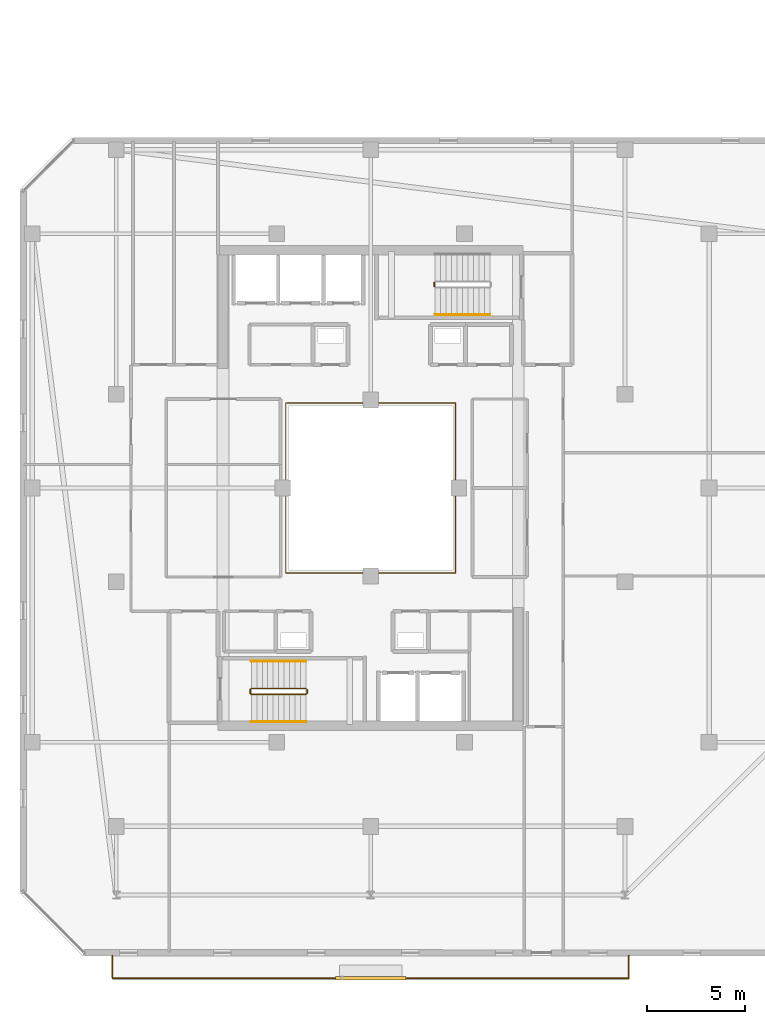
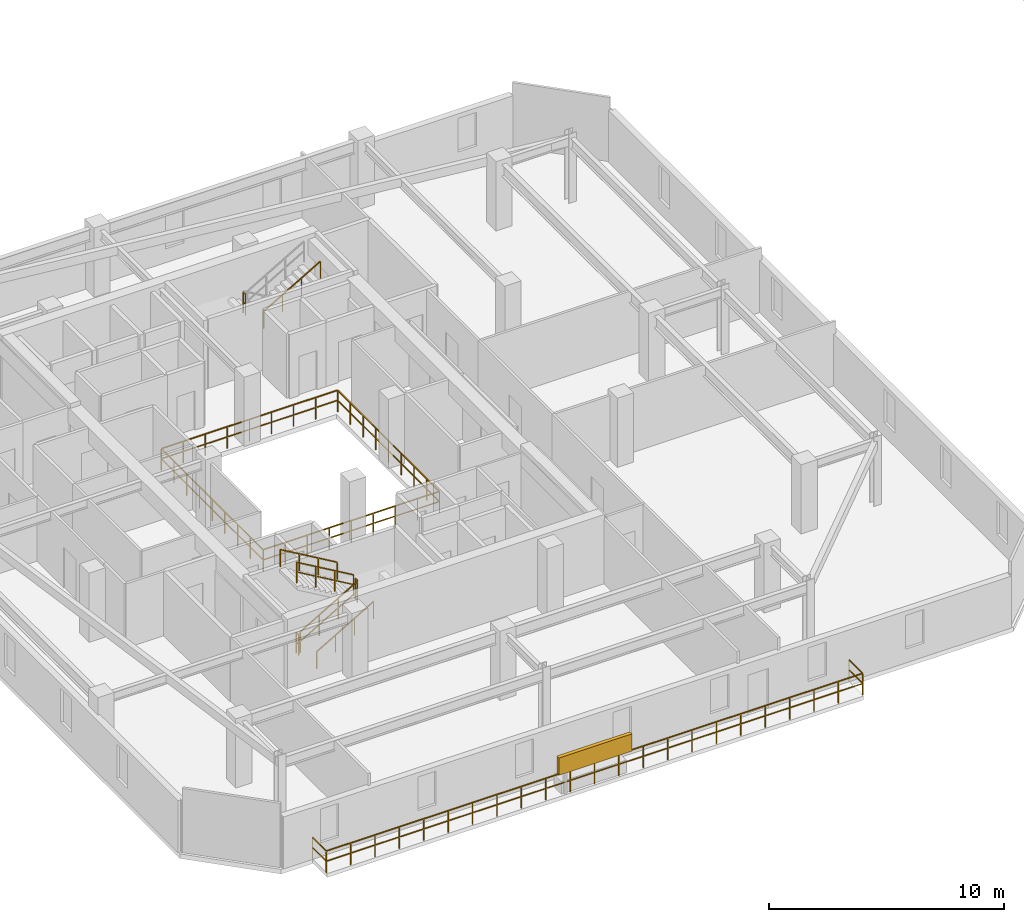
# One storey, part 32 of 35: 10 railings, 1 shading device.
"""IFC4 building model written with IfcOpenShell, lengths in metres."""

from ifc_helpers import new_model, si_unit, direction, frame, origin, origin_2d, place, context, subcontext, project, spatial, rectangle, extrude, material, type_object, element, save


model = new_model("IFC4")

# Units and contexts
model_context = context("Model", 3, precision=1e-05, world=origin(), true_north=direction((0.0, 1.0)))
body_context = subcontext(model_context, "Body", "Model", "MODEL_VIEW")
ifc_project = project(units=[si_unit("LENGTHUNIT", "METRE"), si_unit("AREAUNIT", "SQUARE_METRE"), si_unit("VOLUMEUNIT", "CUBIC_METRE"), si_unit("PLANEANGLEUNIT", "RADIAN"), si_unit("MASSUNIT", "GRAM", prefix="KILO")], contexts=[model_context])

# Site, building, storey
site_placement = place(None, origin())
site = spatial("IfcSite", under=ifc_project, at=site_placement, CompositionType="ELEMENT")
building_placement = place(site_placement, origin())
building = spatial("IfcBuilding", under=site, at=building_placement, Name="Thornwick Lancets Civic Towers", CompositionType="ELEMENT")
storey_placement = place(building_placement, frame((0.0, 0.0, 269.10009765625)))
storey = spatial("IfcBuildingStorey", under=building, at=storey_placement, Name="L72", CompositionType="ELEMENT", Elevation=269.10009765625)

# Railings
ifc_material_1 = material(Name="Laminated glass and bronze steel S355", Category="steel")
railing_type_1 = type_object("IfcRailingType", Name="RAIL_ATRIUM_GUARD", PredefinedType="BALUSTRADE", material=ifc_material_1)
railing_1_placement = place(storey_placement, frame((21.159912109375, 22.659912109375, 0.0)))
element("IfcRailing", 1, at=railing_1_placement, inside=storey, type_object=railing_type_1, Name="L72 Tower A Central Atrium Guard Balustrade", PredefinedType="BALUSTRADE", context=body_context, shape_type="SweptSolid", body=[
    extrude(rectangle(XDim=0.048095703125, YDim=0.048095703125, at=origin_2d()), frame((0.0, 0.0, 1.1259765625), z_axis=(1.0, 0.0, 0.0), x_axis=(0.0, 1.0, 0.0)), (0.0, 0.0, 1.0), 8.64892578125),
    extrude(rectangle(XDim=0.0419921875, YDim=0.0419921875, at=origin_2d()), frame((0.03759765625, 0.0, 0.597900390625), z_axis=(1.0, 0.0, 0.0), x_axis=(0.0, 1.0, 0.0)), (0.0, 0.0, 1.0), 1.010009765625),
    extrude(rectangle(XDim=0.0419921875, YDim=0.0419921875, at=origin_2d()), frame((1.12255859375, 0.0, 0.597900390625), z_axis=(1.0, 0.0, 0.0), x_axis=(0.0, 1.0, 0.0)), (0.0, 0.0, 1.0), 1.010009765625),
    extrude(rectangle(XDim=0.0419921875, YDim=0.0419921875, at=origin_2d()), frame((2.20751953125, 0.0, 0.597900390625), z_axis=(1.0, 0.0, 0.0), x_axis=(0.0, 1.0, 0.0)), (0.0, 0.0, 1.0), 1.010009765625),
    extrude(rectangle(XDim=0.0419921875, YDim=0.0419921875, at=origin_2d()), frame((3.29248046875, 0.0, 0.597900390625), z_axis=(1.0, 0.0, 0.0), x_axis=(0.0, 1.0, 0.0)), (0.0, 0.0, 1.0), 1.010009765625),
    extrude(rectangle(XDim=0.0419921875, YDim=0.0419921875, at=origin_2d()), frame((4.377685546875, 0.0, 0.597900390625), z_axis=(1.0, 0.0, 0.0), x_axis=(0.0, 1.0, 0.0)), (0.0, 0.0, 1.0), 1.010009765625),
    extrude(rectangle(XDim=0.0419921875, YDim=0.0419921875, at=origin_2d()), frame((5.462646484375, 0.0, 0.597900390625), z_axis=(1.0, 0.0, 0.0), x_axis=(0.0, 1.0, 0.0)), (0.0, 0.0, 1.0), 1.010009765625),
    extrude(rectangle(XDim=0.0419921875, YDim=0.0419921875, at=origin_2d()), frame((6.547607421875, 0.0, 0.597900390625), z_axis=(1.0, 0.0, 0.0), x_axis=(0.0, 1.0, 0.0)), (0.0, 0.0, 1.0), 1.010009765625),
    extrude(rectangle(XDim=0.0419921875, YDim=0.0419921875, at=origin_2d()), frame((7.632568359375, 0.0, 0.597900390625), z_axis=(1.0, 0.0, 0.0), x_axis=(0.0, 1.0, 0.0)), (0.0, 0.0, 1.0), 1.010009765625),
    extrude(rectangle(XDim=0.048095703125, YDim=0.048095703125, at=origin_2d()), frame((8.68017578125, 0.03125, 1.1259765625), z_axis=(0.0, 1.0, 0.0), x_axis=(-1.0, 0.0, 0.0)), (0.0, 0.0, 1.0), 8.61767578125),
    extrude(rectangle(XDim=0.0419921875, YDim=0.0419921875, at=origin_2d()), frame((8.68017578125, 0.03759765625, 0.597900390625), z_axis=(0.0, 1.0, 0.0), x_axis=(-1.0, 0.0, 0.0)), (0.0, 0.0, 1.0), 1.010009765625),
    extrude(rectangle(XDim=0.0419921875, YDim=0.0419921875, at=origin_2d()), frame((8.68017578125, 1.12255859375, 0.597900390625), z_axis=(0.0, 1.0, 0.0), x_axis=(-1.0, 0.0, 0.0)), (0.0, 0.0, 1.0), 1.010009765625),
    extrude(rectangle(XDim=0.0419921875, YDim=0.0419921875, at=origin_2d()), frame((8.68017578125, 2.20751953125, 0.597900390625), z_axis=(0.0, 1.0, 0.0), x_axis=(-1.0, 0.0, 0.0)), (0.0, 0.0, 1.0), 1.010009765625),
    extrude(rectangle(XDim=0.0419921875, YDim=0.0419921875, at=origin_2d()), frame((8.68017578125, 3.29248046875, 0.597900390625), z_axis=(0.0, 1.0, 0.0), x_axis=(-1.0, 0.0, 0.0)), (0.0, 0.0, 1.0), 1.010009765625),
    extrude(rectangle(XDim=0.0419921875, YDim=0.0419921875, at=origin_2d()), frame((8.68017578125, 4.377685546875, 0.597900390625), z_axis=(0.0, 1.0, 0.0), x_axis=(-1.0, 0.0, 0.0)), (0.0, 0.0, 1.0), 1.010009765625),
    extrude(rectangle(XDim=0.0419921875, YDim=0.0419921875, at=origin_2d()), frame((8.68017578125, 5.462646484375, 0.597900390625), z_axis=(0.0, 1.0, 0.0), x_axis=(-1.0, 0.0, 0.0)), (0.0, 0.0, 1.0), 1.010009765625),
    extrude(rectangle(XDim=0.0419921875, YDim=0.0419921875, at=origin_2d()), frame((8.68017578125, 6.547607421875, 0.597900390625), z_axis=(0.0, 1.0, 0.0), x_axis=(-1.0, 0.0, 0.0)), (0.0, 0.0, 1.0), 1.010009765625),
    extrude(rectangle(XDim=0.0419921875, YDim=0.0419921875, at=origin_2d()), frame((8.68017578125, 7.632568359375, 0.597900390625), z_axis=(0.0, 1.0, 0.0), x_axis=(-1.0, 0.0, 0.0)), (0.0, 0.0, 1.0), 1.010009765625),
    extrude(rectangle(XDim=0.048095703125, YDim=0.048095703125, at=origin_2d()), frame((8.64892578125, 8.68017578125, 1.1259765625), z_axis=(-1.0, 0.0, 0.0), x_axis=(0.0, -1.0, 0.0)), (0.0, 0.0, 1.0), 8.61767578125),
    extrude(rectangle(XDim=0.0419921875, YDim=0.0419921875, at=origin_2d()), frame((8.642578125, 8.68017578125, 0.597900390625), z_axis=(-1.0, 0.0, 0.0), x_axis=(0.0, -1.0, 0.0)), (0.0, 0.0, 1.0), 1.010009765625),
    extrude(rectangle(XDim=0.0419921875, YDim=0.0419921875, at=origin_2d()), frame((7.5576171875, 8.68017578125, 0.597900390625), z_axis=(-1.0, 0.0, 0.0), x_axis=(0.0, -1.0, 0.0)), (0.0, 0.0, 1.0), 1.010009765625),
    extrude(rectangle(XDim=0.0419921875, YDim=0.0419921875, at=origin_2d()), frame((6.47265625, 8.68017578125, 0.597900390625), z_axis=(-1.0, 0.0, 0.0), x_axis=(0.0, -1.0, 0.0)), (0.0, 0.0, 1.0), 1.010009765625),
    extrude(rectangle(XDim=0.0419921875, YDim=0.0419921875, at=origin_2d()), frame((5.3876953125, 8.68017578125, 0.597900390625), z_axis=(-1.0, 0.0, 0.0), x_axis=(0.0, -1.0, 0.0)), (0.0, 0.0, 1.0), 1.010009765625),
    extrude(rectangle(XDim=0.0419921875, YDim=0.0419921875, at=origin_2d()), frame((4.302490234375, 8.68017578125, 0.597900390625), z_axis=(-1.0, 0.0, 0.0), x_axis=(0.0, -1.0, 0.0)), (0.0, 0.0, 1.0), 1.010009765625),
    extrude(rectangle(XDim=0.0419921875, YDim=0.0419921875, at=origin_2d()), frame((3.217529296875, 8.68017578125, 0.597900390625), z_axis=(-1.0, 0.0, 0.0), x_axis=(0.0, -1.0, 0.0)), (0.0, 0.0, 1.0), 1.010009765625),
    extrude(rectangle(XDim=0.0419921875, YDim=0.0419921875, at=origin_2d()), frame((2.132568359375, 8.68017578125, 0.597900390625), z_axis=(-1.0, 0.0, 0.0), x_axis=(0.0, -1.0, 0.0)), (0.0, 0.0, 1.0), 1.010009765625),
    extrude(rectangle(XDim=0.0419921875, YDim=0.0419921875, at=origin_2d()), frame((1.047607421875, 8.68017578125, 0.597900390625), z_axis=(-1.0, 0.0, 0.0), x_axis=(0.0, -1.0, 0.0)), (0.0, 0.0, 1.0), 1.010009765625),
    extrude(rectangle(XDim=0.048095703125, YDim=0.048095703125, at=origin_2d()), frame((0.0, 8.64892578125, 1.1259765625), z_axis=(0.0, -1.0, 0.0), x_axis=(1.0, 0.0, 0.0)), (0.0, 0.0, 1.0), 8.64892578125),
    extrude(rectangle(XDim=0.0419921875, YDim=0.0419921875, at=origin_2d()), frame((0.0, 8.642578125, 0.597900390625), z_axis=(0.0, -1.0, 0.0), x_axis=(1.0, 0.0, 0.0)), (0.0, 0.0, 1.0), 1.010009765625),
    extrude(rectangle(XDim=0.0419921875, YDim=0.0419921875, at=origin_2d()), frame((0.0, 7.5576171875, 0.597900390625), z_axis=(0.0, -1.0, 0.0), x_axis=(1.0, 0.0, 0.0)), (0.0, 0.0, 1.0), 1.010009765625),
    extrude(rectangle(XDim=0.0419921875, YDim=0.0419921875, at=origin_2d()), frame((0.0, 6.47265625, 0.597900390625), z_axis=(0.0, -1.0, 0.0), x_axis=(1.0, 0.0, 0.0)), (0.0, 0.0, 1.0), 1.010009765625),
    extrude(rectangle(XDim=0.0419921875, YDim=0.0419921875, at=origin_2d()), frame((0.0, 5.3876953125, 0.597900390625), z_axis=(0.0, -1.0, 0.0), x_axis=(1.0, 0.0, 0.0)), (0.0, 0.0, 1.0), 1.010009765625),
    extrude(rectangle(XDim=0.0419921875, YDim=0.0419921875, at=origin_2d()), frame((0.0, 4.302490234375, 0.597900390625), z_axis=(0.0, -1.0, 0.0), x_axis=(1.0, 0.0, 0.0)), (0.0, 0.0, 1.0), 1.010009765625),
    extrude(rectangle(XDim=0.0419921875, YDim=0.0419921875, at=origin_2d()), frame((0.0, 3.217529296875, 0.597900390625), z_axis=(0.0, -1.0, 0.0), x_axis=(1.0, 0.0, 0.0)), (0.0, 0.0, 1.0), 1.010009765625),
    extrude(rectangle(XDim=0.0419921875, YDim=0.0419921875, at=origin_2d()), frame((0.0, 2.132568359375, 0.597900390625), z_axis=(0.0, -1.0, 0.0), x_axis=(1.0, 0.0, 0.0)), (0.0, 0.0, 1.0), 1.010009765625),
    extrude(rectangle(XDim=0.0419921875, YDim=0.0419921875, at=origin_2d()), frame((0.0, 1.047607421875, 0.597900390625), z_axis=(0.0, -1.0, 0.0), x_axis=(1.0, 0.0, 0.0)), (0.0, 0.0, 1.0), 1.010009765625),
    extrude(rectangle(XDim=0.0419921875, YDim=0.0419921875, at=origin_2d()), origin(), (0.0, 0.0, 1.0), 1.095703125),
    extrude(rectangle(XDim=0.0419921875, YDim=0.0419921875, at=origin_2d()), frame((1.0849609375, 0.0, 0.0)), (0.0, 0.0, 1.0), 1.095703125),
    extrude(rectangle(XDim=0.0419921875, YDim=0.0419921875, at=origin_2d()), frame((2.169921875, 0.0, 0.0)), (0.0, 0.0, 1.0), 1.095703125),
    extrude(rectangle(XDim=0.0419921875, YDim=0.0419921875, at=origin_2d()), frame((3.255126953125, 0.0, 0.0)), (0.0, 0.0, 1.0), 1.095703125),
    extrude(rectangle(XDim=0.0419921875, YDim=0.0419921875, at=origin_2d()), frame((4.340087890625, 0.0, 0.0)), (0.0, 0.0, 1.0), 1.095703125),
    extrude(rectangle(XDim=0.0419921875, YDim=0.0419921875, at=origin_2d()), frame((5.425048828125, 0.0, 0.0)), (0.0, 0.0, 1.0), 1.095703125),
    extrude(rectangle(XDim=0.0419921875, YDim=0.0419921875, at=origin_2d()), frame((6.51025390625, 0.0, 0.0)), (0.0, 0.0, 1.0), 1.095703125),
    extrude(rectangle(XDim=0.0419921875, YDim=0.0419921875, at=origin_2d()), frame((7.59521484375, 0.0, 0.0)), (0.0, 0.0, 1.0), 1.095703125),
    extrude(rectangle(XDim=0.0419921875, YDim=0.0419921875, at=origin_2d()), frame((8.68017578125, 0.0, 0.0)), (0.0, 0.0, 1.0), 1.095703125),
    extrude(rectangle(XDim=0.0419921875, YDim=0.0419921875, at=origin_2d()), frame((8.68017578125, 1.0849609375, 0.0)), (0.0, 0.0, 1.0), 1.095703125),
    extrude(rectangle(XDim=0.0419921875, YDim=0.0419921875, at=origin_2d()), frame((8.68017578125, 2.169921875, 0.0)), (0.0, 0.0, 1.0), 1.095703125),
    extrude(rectangle(XDim=0.0419921875, YDim=0.0419921875, at=origin_2d()), frame((8.68017578125, 3.255126953125, 0.0)), (0.0, 0.0, 1.0), 1.095703125),
    extrude(rectangle(XDim=0.0419921875, YDim=0.0419921875, at=origin_2d()), frame((8.68017578125, 4.340087890625, 0.0)), (0.0, 0.0, 1.0), 1.095703125),
    extrude(rectangle(XDim=0.0419921875, YDim=0.0419921875, at=origin_2d()), frame((8.68017578125, 5.425048828125, 0.0)), (0.0, 0.0, 1.0), 1.095703125),
    extrude(rectangle(XDim=0.0419921875, YDim=0.0419921875, at=origin_2d()), frame((8.68017578125, 6.51025390625, 0.0)), (0.0, 0.0, 1.0), 1.095703125),
    extrude(rectangle(XDim=0.0419921875, YDim=0.0419921875, at=origin_2d()), frame((8.68017578125, 7.59521484375, 0.0)), (0.0, 0.0, 1.0), 1.095703125),
    extrude(rectangle(XDim=0.0419921875, YDim=0.0419921875, at=origin_2d()), frame((8.68017578125, 8.68017578125, 0.0)), (0.0, 0.0, 1.0), 1.095703125),
    extrude(rectangle(XDim=0.0419921875, YDim=0.0419921875, at=origin_2d()), frame((7.59521484375, 8.68017578125, 0.0)), (0.0, 0.0, 1.0), 1.095703125),
    extrude(rectangle(XDim=0.0419921875, YDim=0.0419921875, at=origin_2d()), frame((6.51025390625, 8.68017578125, 0.0)), (0.0, 0.0, 1.0), 1.095703125),
    extrude(rectangle(XDim=0.0419921875, YDim=0.0419921875, at=origin_2d()), frame((5.425048828125, 8.68017578125, 0.0)), (0.0, 0.0, 1.0), 1.095703125),
    extrude(rectangle(XDim=0.0419921875, YDim=0.0419921875, at=origin_2d()), frame((4.340087890625, 8.68017578125, 0.0)), (0.0, 0.0, 1.0), 1.095703125),
    extrude(rectangle(XDim=0.0419921875, YDim=0.0419921875, at=origin_2d()), frame((3.255126953125, 8.68017578125, 0.0)), (0.0, 0.0, 1.0), 1.095703125),
    extrude(rectangle(XDim=0.0419921875, YDim=0.0419921875, at=origin_2d()), frame((2.169921875, 8.68017578125, 0.0)), (0.0, 0.0, 1.0), 1.095703125),
    extrude(rectangle(XDim=0.0419921875, YDim=0.0419921875, at=origin_2d()), frame((1.0849609375, 8.68017578125, 0.0)), (0.0, 0.0, 1.0), 1.095703125),
    extrude(rectangle(XDim=0.0419921875, YDim=0.0419921875, at=origin_2d()), frame((0.0, 8.68017578125, 0.0)), (0.0, 0.0, 1.0), 1.095703125),
    extrude(rectangle(XDim=0.0419921875, YDim=0.0419921875, at=origin_2d()), frame((0.0, 7.59521484375, 0.0)), (0.0, 0.0, 1.0), 1.095703125),
    extrude(rectangle(XDim=0.0419921875, YDim=0.0419921875, at=origin_2d()), frame((0.0, 6.51025390625, 0.0)), (0.0, 0.0, 1.0), 1.095703125),
    extrude(rectangle(XDim=0.0419921875, YDim=0.0419921875, at=origin_2d()), frame((0.0, 5.425048828125, 0.0)), (0.0, 0.0, 1.0), 1.095703125),
    extrude(rectangle(XDim=0.0419921875, YDim=0.0419921875, at=origin_2d()), frame((0.0, 4.340087890625, 0.0)), (0.0, 0.0, 1.0), 1.095703125),
    extrude(rectangle(XDim=0.0419921875, YDim=0.0419921875, at=origin_2d()), frame((0.0, 3.255126953125, 0.0)), (0.0, 0.0, 1.0), 1.095703125),
    extrude(rectangle(XDim=0.0419921875, YDim=0.0419921875, at=origin_2d()), frame((0.0, 2.169921875, 0.0)), (0.0, 0.0, 1.0), 1.095703125),
    extrude(rectangle(XDim=0.0419921875, YDim=0.0419921875, at=origin_2d()), frame((0.0, 1.0849609375, 0.0)), (0.0, 0.0, 1.0), 1.095703125),
])
ifc_material_2 = material(Name="Brushed stainless steel S355", Category="steel")
railing_type_2 = type_object("IfcRailingType", Name="RAIL_HANDRAIL", PredefinedType="HANDRAIL", material=ifc_material_2)
railing_2_placement = place(storey_placement, frame((19.39990234375, 15.050048828125, 0.16357421875)))
element("IfcRailing", 2, at=railing_2_placement, inside=storey, type_object=railing_type_2, Name="L72 ST-A1 stair handrail 1", PredefinedType="HANDRAIL", context=body_context, shape_type="SweptSolid", body=[
    extrude(rectangle(XDim=0.048095703125, YDim=0.048095703125, at=origin_2d()), frame((0.0, 0.0, 0.8857421875), z_axis=(0.863393664356, 0.0, 0.504530851732), x_axis=(0.0, 1.0, 0.0)), (0.0, 0.0, 1.0), 3.2431640625),
    extrude(rectangle(XDim=0.0419921875, YDim=0.0419921875, at=origin_2d()), origin(), (0.0, 0.0, 1.0), 0.855712890625),
    extrude(rectangle(XDim=0.0419921875, YDim=0.0419921875, at=origin_2d()), frame((0.933349609375, 0.0, 0.54541015625)), (0.0, 0.0, 1.0), 0.855712890625),
    extrude(rectangle(XDim=0.0419921875, YDim=0.0419921875, at=origin_2d()), frame((1.86669921875, 0.0, 1.0908203125)), (0.0, 0.0, 1.0), 0.855712890625),
    extrude(rectangle(XDim=0.0419921875, YDim=0.0419921875, at=origin_2d()), frame((2.800048828125, 0.0, 1.63623046875)), (0.0, 0.0, 1.0), 0.855712890625),
])
railing_3_placement = place(storey_placement, frame((22.199951171875, 18.14990234375, 1.963623046875)))
element("IfcRailing", 3, at=railing_3_placement, inside=storey, type_object=railing_type_2, Name="L72 ST-A1 stair handrail 2", PredefinedType="HANDRAIL", context=body_context, shape_type="SweptSolid", body=[
    extrude(rectangle(XDim=0.048095703125, YDim=0.048095703125, at=origin_2d()), frame((0.0, 0.0, 0.8857421875), z_axis=(-0.863393664356, 0.0, 0.504530851732), x_axis=(0.0, -1.0, 0.0)), (0.0, 0.0, 1.0), 3.2431640625),
    extrude(rectangle(XDim=0.0419921875, YDim=0.0419921875, at=origin_2d()), origin(), (0.0, 0.0, 1.0), 0.855712890625),
    extrude(rectangle(XDim=0.0419921875, YDim=0.0419921875, at=origin_2d()), frame((-0.933349609375, 0.0, 0.54541015625)), (0.0, 0.0, 1.0), 0.855712890625),
    extrude(rectangle(XDim=0.0419921875, YDim=0.0419921875, at=origin_2d()), frame((-1.86669921875, 0.0, 1.0908203125)), (0.0, 0.0, 1.0), 0.855712890625),
    extrude(rectangle(XDim=0.0419921875, YDim=0.0419921875, at=origin_2d()), frame((-2.800048828125, 0.0, 1.63623046875)), (0.0, 0.0, 1.0), 0.855712890625),
])
railing_4_placement = place(storey_placement, frame((28.800048828125, 35.85009765625, 1.963623046875)))
element("IfcRailing", 4, at=railing_4_placement, inside=storey, type_object=railing_type_2, Name="L72 ST-A2 stair handrail 2", PredefinedType="HANDRAIL", context=body_context, shape_type="SweptSolid", body=[
    extrude(rectangle(XDim=0.048095703125, YDim=0.048095703125, at=origin_2d()), frame((0.0, 0.0, 0.8857421875), z_axis=(0.863393664356, 0.0, 0.504530851732), x_axis=(0.0, 1.0, 0.0)), (0.0, 0.0, 1.0), 3.2431640625),
    extrude(rectangle(XDim=0.0419921875, YDim=0.0419921875, at=origin_2d()), origin(), (0.0, 0.0, 1.0), 0.855712890625),
    extrude(rectangle(XDim=0.0419921875, YDim=0.0419921875, at=origin_2d()), frame((0.933349609375, 0.0, 0.54541015625)), (0.0, 0.0, 1.0), 0.855712890625),
    extrude(rectangle(XDim=0.0419921875, YDim=0.0419921875, at=origin_2d()), frame((1.86669921875, 0.0, 1.0908203125)), (0.0, 0.0, 1.0), 0.855712890625),
    extrude(rectangle(XDim=0.0419921875, YDim=0.0419921875, at=origin_2d()), frame((2.800048828125, 0.0, 1.63623046875)), (0.0, 0.0, 1.0), 0.855712890625),
])
ifc_material_3 = material(Name="Steel S355JR", Category="steel")
railing_type_3 = type_object("IfcRailingType", Name="RAIL_STAIR_GUARD", PredefinedType="GUARDRAIL", material=ifc_material_3)
railing_5_placement = place(storey_placement, frame((19.39990234375, 16.449951171875, 0.16357421875)))
element("IfcRailing", 5, at=railing_5_placement, inside=storey, type_object=railing_type_3, Name="L72 ST-A1 stair guard 1", PredefinedType="GUARDRAIL", context=body_context, shape_type="SweptSolid", body=[
    extrude(rectangle(XDim=0.048095703125, YDim=0.048095703125, at=origin_2d()), frame((0.0, 0.0, 1.076171875), z_axis=(0.863393664356, 0.0, 0.504530851732), x_axis=(0.0, 1.0, 0.0)), (0.0, 0.0, 1.0), 3.2431640625),
    extrude(rectangle(XDim=0.0419921875, YDim=0.0419921875, at=origin_2d()), frame((0.032470703125, 0.0, 0.591064453125), z_axis=(0.863393664356, 0.0, 0.504530851732), x_axis=(0.0, 1.0, 0.0)), (0.0, 0.0, 1.0), 1.006103515625),
    extrude(rectangle(XDim=0.0419921875, YDim=0.0419921875, at=origin_2d()), frame((0.9658203125, 0.0, 1.136474609375), z_axis=(0.863393664356, 0.0, 0.504530851732), x_axis=(0.0, 1.0, 0.0)), (0.0, 0.0, 1.0), 1.006103515625),
    extrude(rectangle(XDim=0.0419921875, YDim=0.0419921875, at=origin_2d()), frame((1.899169921875, 0.0, 1.681884765625), z_axis=(0.863393664356, 0.0, 0.504530851732), x_axis=(0.0, 1.0, 0.0)), (0.0, 0.0, 1.0), 1.006103515625),
    extrude(rectangle(XDim=0.0419921875, YDim=0.0419921875, at=origin_2d()), origin(), (0.0, 0.0, 1.0), 1.0458984375),
    extrude(rectangle(XDim=0.0419921875, YDim=0.0419921875, at=origin_2d()), frame((0.933349609375, 0.0, 0.54541015625)), (0.0, 0.0, 1.0), 1.0458984375),
    extrude(rectangle(XDim=0.0419921875, YDim=0.0419921875, at=origin_2d()), frame((1.86669921875, 0.0, 1.0908203125)), (0.0, 0.0, 1.0), 1.0458984375),
    extrude(rectangle(XDim=0.0419921875, YDim=0.0419921875, at=origin_2d()), frame((2.800048828125, 0.0, 1.63623046875)), (0.0, 0.0, 1.0), 1.0458984375),
])
railing_6_placement = place(storey_placement, frame((22.25, 16.5, 1.7998046875)))
element("IfcRailing", 6, at=railing_6_placement, inside=storey, type_object=railing_type_3, Name="L72 ST-A1 stair guard 2", PredefinedType="GUARDRAIL", context=body_context, shape_type="SweptSolid", body=[
    extrude(rectangle(XDim=0.048095703125, YDim=0.048095703125, at=origin_2d()), frame((0.0, 0.0, 1.076171875), z_axis=(0.0, 1.0, 0.0), x_axis=(-1.0, 0.0, 0.0)), (0.0, 0.0, 1.0), 0.199951171875),
    extrude(rectangle(XDim=0.0419921875, YDim=0.0419921875, at=origin_2d()), frame((0.0, 0.03759765625, 0.572021484375), z_axis=(0.0, 1.0, 0.0), x_axis=(-1.0, 0.0, 0.0)), (0.0, 0.0, 1.0), 0.125),
    extrude(rectangle(XDim=0.0419921875, YDim=0.0419921875, at=origin_2d()), origin(), (0.0, 0.0, 1.0), 1.0458984375),
    extrude(rectangle(XDim=0.0419921875, YDim=0.0419921875, at=origin_2d()), frame((0.0, 0.199951171875, 0.0)), (0.0, 0.0, 1.0), 1.0458984375),
])
railing_7_placement = place(storey_placement, frame((22.199951171875, 16.75, 1.963623046875)))
element("IfcRailing", 7, at=railing_7_placement, inside=storey, type_object=railing_type_3, Name="L72 ST-A1 stair guard 3", PredefinedType="GUARDRAIL", context=body_context, shape_type="SweptSolid", body=[
    extrude(rectangle(XDim=0.048095703125, YDim=0.048095703125, at=origin_2d()), frame((0.0, 0.0, 1.076171875), z_axis=(-0.863393664356, 0.0, 0.504530851732), x_axis=(0.0, -1.0, 0.0)), (0.0, 0.0, 1.0), 3.2431640625),
    extrude(rectangle(XDim=0.0419921875, YDim=0.0419921875, at=origin_2d()), frame((-0.032470703125, 0.0, 0.591064453125), z_axis=(-0.863393664356, 0.0, 0.504530851732), x_axis=(0.0, -1.0, 0.0)), (0.0, 0.0, 1.0), 1.006103515625),
    extrude(rectangle(XDim=0.0419921875, YDim=0.0419921875, at=origin_2d()), frame((-0.9658203125, 0.0, 1.136474609375), z_axis=(-0.863393664356, 0.0, 0.504530851732), x_axis=(0.0, -1.0, 0.0)), (0.0, 0.0, 1.0), 1.006103515625),
    extrude(rectangle(XDim=0.0419921875, YDim=0.0419921875, at=origin_2d()), frame((-1.899169921875, 0.0, 1.681884765625), z_axis=(-0.863393664356, 0.0, 0.504530851732), x_axis=(0.0, -1.0, 0.0)), (0.0, 0.0, 1.0), 1.006103515625),
    extrude(rectangle(XDim=0.0419921875, YDim=0.0419921875, at=origin_2d()), origin(), (0.0, 0.0, 1.0), 1.0458984375),
    extrude(rectangle(XDim=0.0419921875, YDim=0.0419921875, at=origin_2d()), frame((-0.933349609375, 0.0, 0.54541015625)), (0.0, 0.0, 1.0), 1.0458984375),
    extrude(rectangle(XDim=0.0419921875, YDim=0.0419921875, at=origin_2d()), frame((-1.86669921875, 0.0, 1.0908203125)), (0.0, 0.0, 1.0), 1.0458984375),
    extrude(rectangle(XDim=0.0419921875, YDim=0.0419921875, at=origin_2d()), frame((-2.800048828125, 0.0, 1.63623046875)), (0.0, 0.0, 1.0), 1.0458984375),
])
railing_8_placement = place(storey_placement, frame((19.35009765625, 16.5, 0.0)))
element("IfcRailing", 8, at=railing_8_placement, inside=storey, type_object=railing_type_3, Name="L72 ST-A1 stair guard 4", PredefinedType="GUARDRAIL", context=body_context, shape_type="SweptSolid", body=[
    extrude(rectangle(XDim=0.048095703125, YDim=0.048095703125, at=origin_2d()), frame((0.0, 0.0, 1.076171875), z_axis=(0.0, 1.0, 0.0), x_axis=(-1.0, 0.0, 0.0)), (0.0, 0.0, 1.0), 0.199951171875),
    extrude(rectangle(XDim=0.0419921875, YDim=0.0419921875, at=origin_2d()), frame((0.0, 0.03759765625, 0.572021484375), z_axis=(0.0, 1.0, 0.0), x_axis=(-1.0, 0.0, 0.0)), (0.0, 0.0, 1.0), 0.125),
    extrude(rectangle(XDim=0.0419921875, YDim=0.0419921875, at=origin_2d()), origin(), (0.0, 0.0, 1.0), 1.0458984375),
    extrude(rectangle(XDim=0.0419921875, YDim=0.0419921875, at=origin_2d()), frame((0.0, 0.199951171875, 0.0)), (0.0, 0.0, 1.0), 1.0458984375),
])
railing_9_placement = place(storey_placement, frame((28.75, 37.5, 1.7998046875)))
element("IfcRailing", 9, at=railing_9_placement, inside=storey, type_object=railing_type_3, Name="L72 ST-A2 stair guard 2", PredefinedType="GUARDRAIL", context=body_context, shape_type="SweptSolid", body=[
    extrude(rectangle(XDim=0.048095703125, YDim=0.048095703125, at=origin_2d()), frame((0.0, 0.0, 1.076171875), z_axis=(0.0, -1.0, 0.0), x_axis=(1.0, 0.0, 0.0)), (0.0, 0.0, 1.0), 0.199951171875),
    extrude(rectangle(XDim=0.0419921875, YDim=0.0419921875, at=origin_2d()), frame((0.0, -0.03759765625, 0.572021484375), z_axis=(0.0, -1.0, 0.0), x_axis=(1.0, 0.0, 0.0)), (0.0, 0.0, 1.0), 0.125),
    extrude(rectangle(XDim=0.0419921875, YDim=0.0419921875, at=origin_2d()), origin(), (0.0, 0.0, 1.0), 1.0458984375),
    extrude(rectangle(XDim=0.0419921875, YDim=0.0419921875, at=origin_2d()), frame((0.0, -0.199951171875, 0.0)), (0.0, 0.0, 1.0), 1.0458984375),
])
ifc_material_4 = material(Name="Terracotta-capped laminated glass balustrade S355", Category="masonry")
railing_type_4 = type_object("IfcRailingType", Name="RAIL_TERR_GUARD", PredefinedType="GUARDRAIL", material=ifc_material_4)
railing_10_placement = place(storey_placement, frame((12.300048828125, 3.10009765625, 0.0)))
element("IfcRailing", 10, at=railing_10_placement, inside=storey, type_object=railing_type_4, Name="L72 Tower A Balcony Guard S", PredefinedType="GUARDRAIL", context=body_context, shape_type="SweptSolid", body=[
    extrude(rectangle(XDim=0.048095703125, YDim=0.048095703125, at=origin_2d()), frame((0.0, 0.0, 1.1259765625), z_axis=(0.0, -1.0, 0.0), x_axis=(1.0, 0.0, 0.0)), (0.0, 0.0, 1.0), 1.138916015625),
    extrude(rectangle(XDim=0.0419921875, YDim=0.0419921875, at=origin_2d()), frame((0.0, -0.03759765625, 0.597900390625), z_axis=(0.0, -1.0, 0.0), x_axis=(1.0, 0.0, 0.0)), (0.0, 0.0, 1.0), 1.09521484375),
    extrude(rectangle(XDim=0.048095703125, YDim=0.048095703125, at=origin_2d()), frame((0.03125, -1.170166015625, 1.1259765625), z_axis=(1.0, 0.0, 0.0), x_axis=(0.0, 1.0, 0.0)), (0.0, 0.0, 1.0), 26.33740234375),
    extrude(rectangle(XDim=0.0419921875, YDim=0.0419921875, at=origin_2d()), frame((0.03759765625, -1.170166015625, 0.597900390625), z_axis=(1.0, 0.0, 0.0), x_axis=(0.0, 1.0, 0.0)), (0.0, 0.0, 1.0), 1.125),
    extrude(rectangle(XDim=0.0419921875, YDim=0.0419921875, at=origin_2d()), frame((1.237548828125, -1.170166015625, 0.597900390625), z_axis=(1.0, 0.0, 0.0), x_axis=(0.0, 1.0, 0.0)), (0.0, 0.0, 1.0), 1.125),
    extrude(rectangle(XDim=0.0419921875, YDim=0.0419921875, at=origin_2d()), frame((2.4375, -1.170166015625, 0.597900390625), z_axis=(1.0, 0.0, 0.0), x_axis=(0.0, 1.0, 0.0)), (0.0, 0.0, 1.0), 1.125),
    extrude(rectangle(XDim=0.0419921875, YDim=0.0419921875, at=origin_2d()), frame((3.637451171875, -1.170166015625, 0.597900390625), z_axis=(1.0, 0.0, 0.0), x_axis=(0.0, 1.0, 0.0)), (0.0, 0.0, 1.0), 1.125),
    extrude(rectangle(XDim=0.0419921875, YDim=0.0419921875, at=origin_2d()), frame((4.83740234375, -1.170166015625, 0.597900390625), z_axis=(1.0, 0.0, 0.0), x_axis=(0.0, 1.0, 0.0)), (0.0, 0.0, 1.0), 1.125),
    extrude(rectangle(XDim=0.0419921875, YDim=0.0419921875, at=origin_2d()), frame((6.037353515625, -1.170166015625, 0.597900390625), z_axis=(1.0, 0.0, 0.0), x_axis=(0.0, 1.0, 0.0)), (0.0, 0.0, 1.0), 1.125),
    extrude(rectangle(XDim=0.0419921875, YDim=0.0419921875, at=origin_2d()), frame((7.237548828125, -1.170166015625, 0.597900390625), z_axis=(1.0, 0.0, 0.0), x_axis=(0.0, 1.0, 0.0)), (0.0, 0.0, 1.0), 1.125),
    extrude(rectangle(XDim=0.0419921875, YDim=0.0419921875, at=origin_2d()), frame((8.4375, -1.170166015625, 0.597900390625), z_axis=(1.0, 0.0, 0.0), x_axis=(0.0, 1.0, 0.0)), (0.0, 0.0, 1.0), 1.125),
    extrude(rectangle(XDim=0.0419921875, YDim=0.0419921875, at=origin_2d()), frame((9.637451171875, -1.170166015625, 0.597900390625), z_axis=(1.0, 0.0, 0.0), x_axis=(0.0, 1.0, 0.0)), (0.0, 0.0, 1.0), 1.125),
    extrude(rectangle(XDim=0.0419921875, YDim=0.0419921875, at=origin_2d()), frame((10.83740234375, -1.170166015625, 0.597900390625), z_axis=(1.0, 0.0, 0.0), x_axis=(0.0, 1.0, 0.0)), (0.0, 0.0, 1.0), 1.125),
    extrude(rectangle(XDim=0.0419921875, YDim=0.0419921875, at=origin_2d()), frame((12.037353515625, -1.170166015625, 0.597900390625), z_axis=(1.0, 0.0, 0.0), x_axis=(0.0, 1.0, 0.0)), (0.0, 0.0, 1.0), 1.125),
    extrude(rectangle(XDim=0.0419921875, YDim=0.0419921875, at=origin_2d()), frame((13.237548828125, -1.170166015625, 0.597900390625), z_axis=(1.0, 0.0, 0.0), x_axis=(0.0, 1.0, 0.0)), (0.0, 0.0, 1.0), 1.125),
    extrude(rectangle(XDim=0.0419921875, YDim=0.0419921875, at=origin_2d()), frame((14.4375, -1.170166015625, 0.597900390625), z_axis=(1.0, 0.0, 0.0), x_axis=(0.0, 1.0, 0.0)), (0.0, 0.0, 1.0), 1.125),
    extrude(rectangle(XDim=0.0419921875, YDim=0.0419921875, at=origin_2d()), frame((15.637451171875, -1.170166015625, 0.597900390625), z_axis=(1.0, 0.0, 0.0), x_axis=(0.0, 1.0, 0.0)), (0.0, 0.0, 1.0), 1.125),
    extrude(rectangle(XDim=0.0419921875, YDim=0.0419921875, at=origin_2d()), frame((16.83740234375, -1.170166015625, 0.597900390625), z_axis=(1.0, 0.0, 0.0), x_axis=(0.0, 1.0, 0.0)), (0.0, 0.0, 1.0), 1.125),
    extrude(rectangle(XDim=0.0419921875, YDim=0.0419921875, at=origin_2d()), frame((18.037353515625, -1.170166015625, 0.597900390625), z_axis=(1.0, 0.0, 0.0), x_axis=(0.0, 1.0, 0.0)), (0.0, 0.0, 1.0), 1.125),
    extrude(rectangle(XDim=0.0419921875, YDim=0.0419921875, at=origin_2d()), frame((19.2373046875, -1.170166015625, 0.597900390625), z_axis=(1.0, 0.0, 0.0), x_axis=(0.0, 1.0, 0.0)), (0.0, 0.0, 1.0), 1.125),
    extrude(rectangle(XDim=0.0419921875, YDim=0.0419921875, at=origin_2d()), frame((20.4375, -1.170166015625, 0.597900390625), z_axis=(1.0, 0.0, 0.0), x_axis=(0.0, 1.0, 0.0)), (0.0, 0.0, 1.0), 1.125),
    extrude(rectangle(XDim=0.0419921875, YDim=0.0419921875, at=origin_2d()), frame((21.637451171875, -1.170166015625, 0.597900390625), z_axis=(1.0, 0.0, 0.0), x_axis=(0.0, 1.0, 0.0)), (0.0, 0.0, 1.0), 1.125),
    extrude(rectangle(XDim=0.0419921875, YDim=0.0419921875, at=origin_2d()), frame((22.83740234375, -1.170166015625, 0.597900390625), z_axis=(1.0, 0.0, 0.0), x_axis=(0.0, 1.0, 0.0)), (0.0, 0.0, 1.0), 1.125),
    extrude(rectangle(XDim=0.0419921875, YDim=0.0419921875, at=origin_2d()), frame((24.037353515625, -1.170166015625, 0.597900390625), z_axis=(1.0, 0.0, 0.0), x_axis=(0.0, 1.0, 0.0)), (0.0, 0.0, 1.0), 1.125),
    extrude(rectangle(XDim=0.0419921875, YDim=0.0419921875, at=origin_2d()), frame((25.2373046875, -1.170166015625, 0.597900390625), z_axis=(1.0, 0.0, 0.0), x_axis=(0.0, 1.0, 0.0)), (0.0, 0.0, 1.0), 1.125),
    extrude(rectangle(XDim=0.048095703125, YDim=0.048095703125, at=origin_2d()), frame((26.39990234375, -1.138916015625, 1.1259765625), z_axis=(0.0, 1.0, 0.0), x_axis=(-1.0, 0.0, 0.0)), (0.0, 0.0, 1.0), 1.138916015625),
    extrude(rectangle(XDim=0.0419921875, YDim=0.0419921875, at=origin_2d()), frame((26.39990234375, -1.132568359375, 0.597900390625), z_axis=(0.0, 1.0, 0.0), x_axis=(-1.0, 0.0, 0.0)), (0.0, 0.0, 1.0), 1.09521484375),
    extrude(rectangle(XDim=0.0419921875, YDim=0.0419921875, at=origin_2d()), origin(), (0.0, 0.0, 1.0), 1.095703125),
    extrude(rectangle(XDim=0.0419921875, YDim=0.0419921875, at=origin_2d()), frame((0.0, -1.170166015625, 0.0)), (0.0, 0.0, 1.0), 1.095703125),
    extrude(rectangle(XDim=0.0419921875, YDim=0.0419921875, at=origin_2d()), frame((1.199951171875, -1.170166015625, 0.0)), (0.0, 0.0, 1.0), 1.095703125),
    extrude(rectangle(XDim=0.0419921875, YDim=0.0419921875, at=origin_2d()), frame((2.39990234375, -1.170166015625, 0.0)), (0.0, 0.0, 1.0), 1.095703125),
    extrude(rectangle(XDim=0.0419921875, YDim=0.0419921875, at=origin_2d()), frame((3.60009765625, -1.170166015625, 0.0)), (0.0, 0.0, 1.0), 1.095703125),
    extrude(rectangle(XDim=0.0419921875, YDim=0.0419921875, at=origin_2d()), frame((4.800048828125, -1.170166015625, 0.0)), (0.0, 0.0, 1.0), 1.095703125),
    extrude(rectangle(XDim=0.0419921875, YDim=0.0419921875, at=origin_2d()), frame((6.0, -1.170166015625, 0.0)), (0.0, 0.0, 1.0), 1.095703125),
    extrude(rectangle(XDim=0.0419921875, YDim=0.0419921875, at=origin_2d()), frame((7.199951171875, -1.170166015625, 0.0)), (0.0, 0.0, 1.0), 1.095703125),
    extrude(rectangle(XDim=0.0419921875, YDim=0.0419921875, at=origin_2d()), frame((8.39990234375, -1.170166015625, 0.0)), (0.0, 0.0, 1.0), 1.095703125),
    extrude(rectangle(XDim=0.0419921875, YDim=0.0419921875, at=origin_2d()), frame((9.599853515625, -1.170166015625, 0.0)), (0.0, 0.0, 1.0), 1.095703125),
    extrude(rectangle(XDim=0.0419921875, YDim=0.0419921875, at=origin_2d()), frame((10.800048828125, -1.170166015625, 0.0)), (0.0, 0.0, 1.0), 1.095703125),
    extrude(rectangle(XDim=0.0419921875, YDim=0.0419921875, at=origin_2d()), frame((12.0, -1.170166015625, 0.0)), (0.0, 0.0, 1.0), 1.095703125),
    extrude(rectangle(XDim=0.0419921875, YDim=0.0419921875, at=origin_2d()), frame((13.199951171875, -1.170166015625, 0.0)), (0.0, 0.0, 1.0), 1.095703125),
    extrude(rectangle(XDim=0.0419921875, YDim=0.0419921875, at=origin_2d()), frame((14.39990234375, -1.170166015625, 0.0)), (0.0, 0.0, 1.0), 1.095703125),
    extrude(rectangle(XDim=0.0419921875, YDim=0.0419921875, at=origin_2d()), frame((15.599853515625, -1.170166015625, 0.0)), (0.0, 0.0, 1.0), 1.095703125),
    extrude(rectangle(XDim=0.0419921875, YDim=0.0419921875, at=origin_2d()), frame((16.800048828125, -1.170166015625, 0.0)), (0.0, 0.0, 1.0), 1.095703125),
    extrude(rectangle(XDim=0.0419921875, YDim=0.0419921875, at=origin_2d()), frame((18.0, -1.170166015625, 0.0)), (0.0, 0.0, 1.0), 1.095703125),
    extrude(rectangle(XDim=0.0419921875, YDim=0.0419921875, at=origin_2d()), frame((19.199951171875, -1.170166015625, 0.0)), (0.0, 0.0, 1.0), 1.095703125),
    extrude(rectangle(XDim=0.0419921875, YDim=0.0419921875, at=origin_2d()), frame((20.39990234375, -1.170166015625, 0.0)), (0.0, 0.0, 1.0), 1.095703125),
    extrude(rectangle(XDim=0.0419921875, YDim=0.0419921875, at=origin_2d()), frame((21.599853515625, -1.170166015625, 0.0)), (0.0, 0.0, 1.0), 1.095703125),
    extrude(rectangle(XDim=0.0419921875, YDim=0.0419921875, at=origin_2d()), frame((22.7998046875, -1.170166015625, 0.0)), (0.0, 0.0, 1.0), 1.095703125),
    extrude(rectangle(XDim=0.0419921875, YDim=0.0419921875, at=origin_2d()), frame((24.0, -1.170166015625, 0.0)), (0.0, 0.0, 1.0), 1.095703125),
    extrude(rectangle(XDim=0.0419921875, YDim=0.0419921875, at=origin_2d()), frame((25.199951171875, -1.170166015625, 0.0)), (0.0, 0.0, 1.0), 1.095703125),
    extrude(rectangle(XDim=0.0419921875, YDim=0.0419921875, at=origin_2d()), frame((26.39990234375, -1.170166015625, 0.0)), (0.0, 0.0, 1.0), 1.095703125),
    extrude(rectangle(XDim=0.0419921875, YDim=0.0419921875, at=origin_2d()), frame((26.39990234375, 0.0, 0.0)), (0.0, 0.0, 1.0), 1.095703125),
])

# Shading device
ifc_material_5 = material(Name="Extruded terracotta baguette solar screen", Category="masonry")
shading_device_type = type_object("IfcShadingDeviceType", Name="SHADE_BAGUETTE", PredefinedType="JALOUSIE", material=ifc_material_5)
shading_device_placement = place(storey_placement, frame((25.5, 1.93994140625, 1.119873046875), z_axis=(0.0, 0.0, 1.0), x_axis=(1.0, 0.0, 0.0)))
element("IfcShadingDevice", 11, at=shading_device_placement, inside=storey, type_object=shading_device_type, Name="L72 Tower A Terracotta Baguette Screen S", PredefinedType="JALOUSIE", context=body_context, shape_type="SweptSolid", body=[
    extrude(rectangle(XDim=3.60009765625, YDim=0.179931640625, at=origin_2d()), origin(), (0.0, 0.0, 1.0), 0.89990234375),
])

save(model, "model.ifc")
